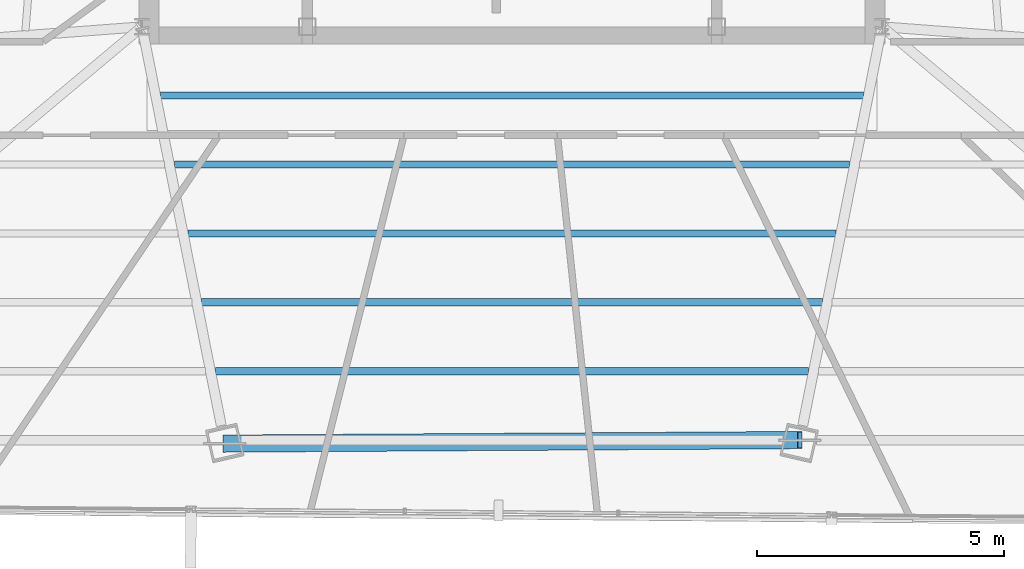
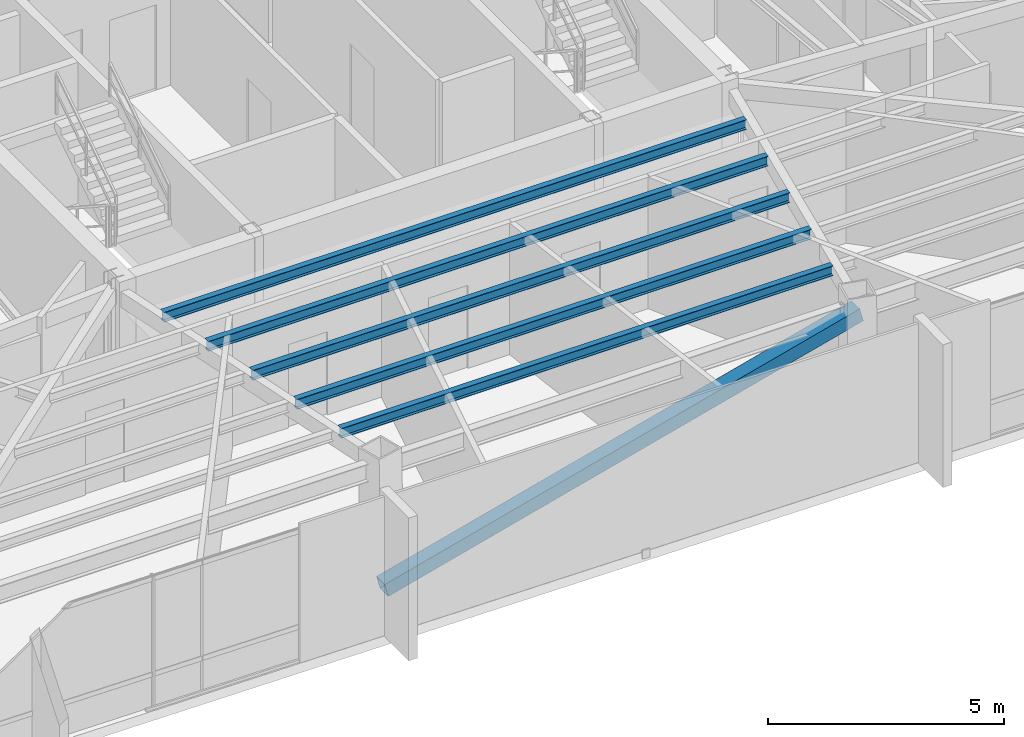
# One storey, part 14 of 46: 5 beams, 1 member.
"""IFC4 building model written with IfcOpenShell, lengths in metres."""

from ifc_helpers import new_model, si_unit, direction, frame, origin, origin_2d, place, context, subcontext, project, spatial, hollow_rectangle, i_section, extrude, source, transform, mapped, material, material_profile, profile_set, type_object, type_shapes, element, save


model = new_model("IFC4")

# Units and contexts
model_context = context("Model", 3, precision=1e-05, world=origin(), true_north=direction((0.0, 1.0)))
body_context = subcontext(model_context, "Body", "Model", "MODEL_VIEW")
ifc_project = project(units=[si_unit("LENGTHUNIT", "METRE"), si_unit("AREAUNIT", "SQUARE_METRE"), si_unit("VOLUMEUNIT", "CUBIC_METRE"), si_unit("PLANEANGLEUNIT", "RADIAN"), si_unit("MASSUNIT", "GRAM", prefix="KILO")], contexts=[model_context])

# Site, building, storey
site_placement = place(None, origin())
site = spatial("IfcSite", under=ifc_project, at=site_placement, CompositionType="ELEMENT")
building_placement = place(site_placement, origin())
building = spatial("IfcBuilding", under=site, at=building_placement, Name="Caelisora Broadcast Tower", CompositionType="ELEMENT")
storey_placement = place(building_placement, frame((0.0, 0.0, 237.14990234375)))
storey = spatial("IfcBuildingStorey", under=building, at=storey_placement, Name="L62", CompositionType="ELEMENT", Elevation=237.14990234375)

# Beams
ifc_material_1 = material(Name="Steel Grade 350 (AS/NZS 3679.1)", Category="steel")
ifc_material_profile_1 = material_profile(ifc_material_1, i_section(OverallWidth=0.14599609375, OverallDepth=0.256103515625, WebThickness=0.00634765625, FlangeThickness=0.010986328125, at=origin_2d()), Name="Steel Grade 350 (AS/NZS 3679.1)")
ifc_profile_set_1 = profile_set([ifc_material_profile_1], Name="Steel Grade 350 (AS/NZS 3679.1)")
beam_type = type_object("IfcBeamType", Name="SB04", PredefinedType="JOIST", material=ifc_profile_set_1)
shared_shape_1 = source(origin(), body_context, "Body", "SweptSolid", [
    extrude(i_section(OverallWidth=0.14599609375, OverallDepth=0.256103515625, WebThickness=0.00634765625, FlangeThickness=0.010986328125, at=origin_2d()), origin(), (0.0, 0.0, 1.0), 14.24658203125),
])
beam_1_placement = place(storey_placement, frame((30.876708984375, 16.00390625, 3.27197265625), z_axis=(1.0, 0.0, 0.0), x_axis=(0.0, 1.0, 0.0)))
element("IfcBeam", 1, at=beam_1_placement, inside=storey, type_object=beam_type, Name="L62 beam SB04", PredefinedType="JOIST", context=body_context, shape_type="MappedRepresentation", body=[
    mapped(shared_shape_1, transform((0.0, 0.0, 0.0), scale=1.0)),
])
shared_shape_2 = source(origin(), body_context, "Body", "SweptSolid", [
    extrude(i_section(OverallWidth=0.14599609375, OverallDepth=0.256103515625, WebThickness=0.00634765625, FlangeThickness=0.010986328125, at=origin_2d()), origin(), (0.0, 0.0, 1.0), 13.69189453125),
])
beam_2_placement = place(storey_placement, frame((31.154052734375, 14.607666015625, 3.27197265625), z_axis=(1.0, 0.0, 0.0), x_axis=(0.0, 1.0, 0.0)))
element("IfcBeam", 2, at=beam_2_placement, inside=storey, type_object=beam_type, Name="L62 beam SB04", PredefinedType="JOIST", context=body_context, shape_type="MappedRepresentation", body=[
    mapped(shared_shape_2, transform((0.0, 0.0, 0.0), scale=1.0)),
])
shared_shape_3 = source(origin(), body_context, "Body", "SweptSolid", [
    extrude(i_section(OverallWidth=0.14599609375, OverallDepth=0.256103515625, WebThickness=0.00634765625, FlangeThickness=0.010986328125, at=origin_2d()), origin(), (0.0, 0.0, 1.0), 13.13671875),
])
beam_3_placement = place(storey_placement, frame((31.431640625, 13.21142578125, 3.27197265625), z_axis=(1.0, 0.0, 0.0), x_axis=(0.0, 1.0, 0.0)))
element("IfcBeam", 3, at=beam_3_placement, inside=storey, type_object=beam_type, Name="L62 beam SB04", PredefinedType="JOIST", context=body_context, shape_type="MappedRepresentation", body=[
    mapped(shared_shape_3, transform((0.0, 0.0, 0.0), scale=1.0)),
])
shared_shape_4 = source(origin(), body_context, "Body", "SweptSolid", [
    extrude(i_section(OverallWidth=0.14599609375, OverallDepth=0.256103515625, WebThickness=0.00634765625, FlangeThickness=0.010986328125, at=origin_2d()), origin(), (0.0, 0.0, 1.0), 12.58154296875),
])
beam_4_placement = place(storey_placement, frame((31.709228515625, 11.815185546875, 3.27197265625), z_axis=(1.0, 0.0, 0.0), x_axis=(0.0, 1.0, 0.0)))
element("IfcBeam", 4, at=beam_4_placement, inside=storey, type_object=beam_type, Name="L62 beam SB04", PredefinedType="JOIST", context=body_context, shape_type="MappedRepresentation", body=[
    mapped(shared_shape_4, transform((0.0, 0.0, 0.0), scale=1.0)),
])
shared_shape_5 = source(origin(), body_context, "Body", "SweptSolid", [
    extrude(i_section(OverallWidth=0.14599609375, OverallDepth=0.256103515625, WebThickness=0.00634765625, FlangeThickness=0.010986328125, at=origin_2d()), origin(), (0.0, 0.0, 1.0), 12.0263671875),
])
type_shapes(beam_type, [shared_shape_1, shared_shape_2, shared_shape_3, shared_shape_4, shared_shape_5])
beam_5_placement = place(storey_placement, frame((31.98681640625, 10.419189453125, 3.27197265625), z_axis=(1.0, 0.0, 0.0), x_axis=(0.0, 1.0, 0.0)))
element("IfcBeam", 5, at=beam_5_placement, inside=storey, type_object=beam_type, Name="L62 beam SB04", PredefinedType="JOIST", context=body_context, shape_type="MappedRepresentation", body=[
    mapped(shared_shape_5, transform((0.0, 0.0, 0.0), scale=1.0)),
])

# Member
ifc_material_2 = material(Name="Steel Grade 450 (AS/NZS 1163 C450L0)", Category="steel")
ifc_material_profile_2 = material_profile(ifc_material_2, hollow_rectangle(XDim=0.35009765625, YDim=0.35009765625, WallThickness=0.012451171875, at=origin_2d()), Name="Steel Grade 450 (AS/NZS 1163 C450L0)")
ifc_profile_set_2 = profile_set([ifc_material_profile_2], Name="Steel Grade 450 (AS/NZS 1163 C450L0)")
member_type = type_object("IfcMemberType", Name="BR05", PredefinedType="BRACE", material=ifc_profile_set_2)
shared_shape_6 = source(origin(), body_context, "Body", "SweptSolid", [
    extrude(hollow_rectangle(XDim=0.35009765625, YDim=0.35009765625, WallThickness=0.012451171875, at=origin_2d()), origin(), (0.0, 0.0, 1.0), 12.032958984375),
])
type_shapes(member_type, [shared_shape_6])
member_placement = place(storey_placement, frame((32.181884765625, 8.95068359375, 0.10009765625), z_axis=(0.968404119852, 0.006005606945, 0.249313845061), x_axis=(-0.006201431138, 0.999980770941, 0.0)))
element("IfcMember", 6, at=member_placement, inside=storey, type_object=member_type, Name="L62 perimeter brace BR05", PredefinedType="BRACE", context=body_context, shape_type="MappedRepresentation", body=[
    mapped(shared_shape_6, transform((0.0, 0.0, 0.0), scale=1.0)),
])

save(model, "model.ifc")
